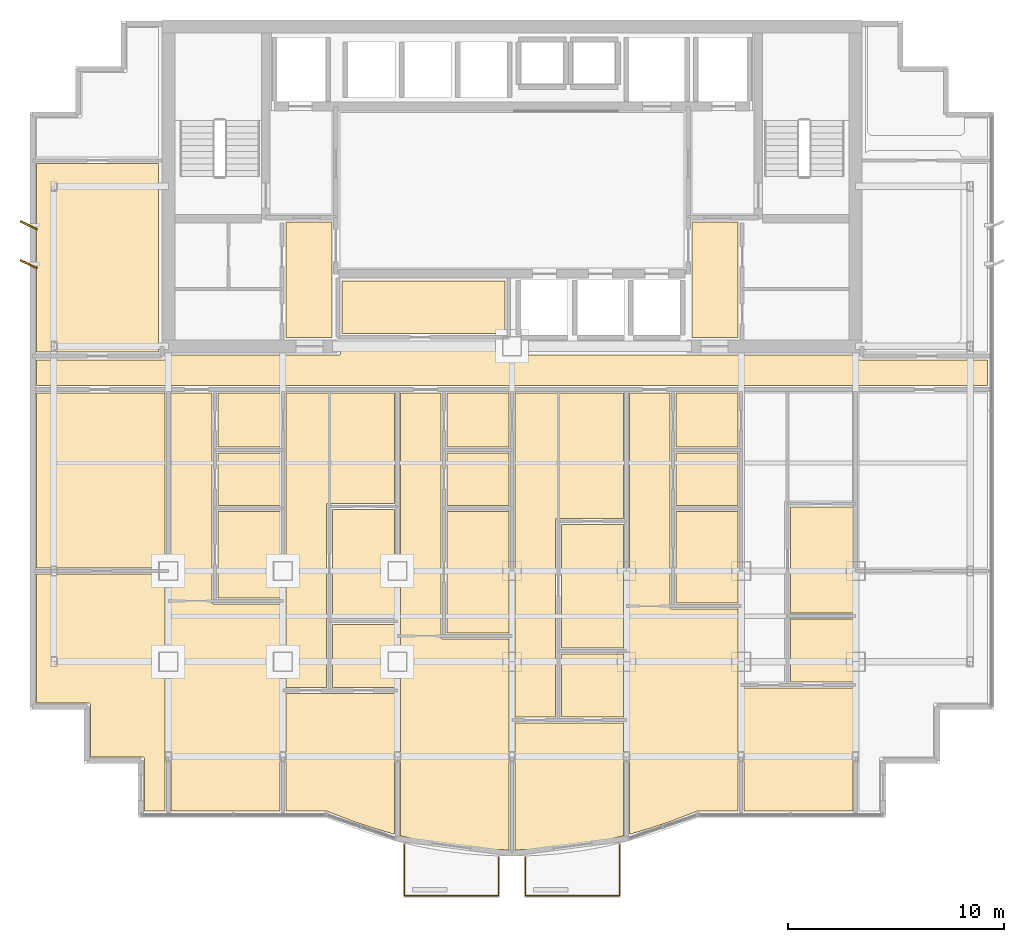
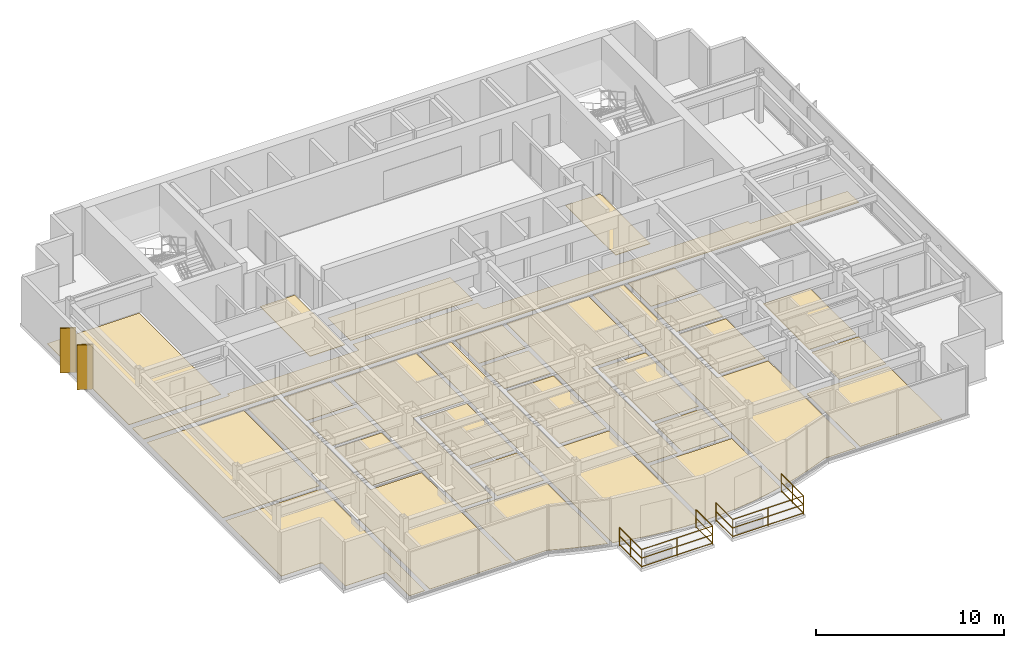
# One storey, part 12 of 13: 30 coverings, 2 railings, 2 shading devices.
"""IFC4 building model written with IfcOpenShell, lengths in metres."""

import ifcopenshell
import ifcopenshell.guid

model = None  # the IFC model being written
_history = None  # IfcOwnerHistory: only IFC2X3 demands one
_inside = {}  # id of a spatial element -> (the spatial element, [elements in it])
_under = {}  # id of a project, library or spatial element -> (it, [spatial elements below it])
_declared = {}  # id of a project -> (the project, [libraries it declares])
_typed = {}  # id of a type object -> (the type object, [elements of that type])
_made_of = {}  # id of a material, layer set ... -> (it, [elements and type objects made of it])


def new_model(schema):
    """Start an empty IFC model of exactly this schema.

    Asked for "IFC4X3", IfcOpenShell would pick the latest addendum, in which some entities
    have other attributes; the version numbers below select the first issue.
    IFC2X3 requires an IfcOwnerHistory on every rooted entity: one is made here for all.
    """
    global model, _history
    if schema == "IFC4X3":
        model = ifcopenshell.file(schema_version=(4, 3, 0, 0))
    else:
        model = ifcopenshell.file(schema=schema)
    _inside.clear()
    _under.clear()
    _declared.clear()
    _typed.clear()
    _made_of.clear()
    _history = None
    if model.schema == "IFC2X3":
        org = make("IfcOrganization", Name="unknown")
        user = make(
            "IfcPersonAndOrganization",
            ThePerson=make("IfcPerson", FamilyName="unknown"),
            TheOrganization=org,
        )
        app = make(
            "IfcApplication",
            ApplicationDeveloper=org,
            Version="unknown",
            ApplicationFullName="unknown",
            ApplicationIdentifier="unknown",
        )
        _history = make(
            "IfcOwnerHistory",
            OwningUser=user,
            OwningApplication=app,
            ChangeAction="ADDED",
            CreationDate=0,
        )
    return model


def make(cls, **values):
    """One entity of the class cls with the attributes given. An attribute that is None is left unset."""
    return model.create_entity(
        cls, **{name: value for name, value in values.items() if value is not None}
    )


def rooted(cls, **values):
    """An entity with a GlobalId (a new one), such as an element, a storey or a relation."""
    return make(cls, GlobalId=ifcopenshell.guid.new(), OwnerHistory=_history, **values)


def si_unit(unit_type, name, prefix=None):
    """IfcSIUnit, for example si_unit("LENGTHUNIT", "METRE", prefix="MILLI")."""
    return make("IfcSIUnit", UnitType=unit_type, Prefix=prefix, Name=name)


def assignment(units):
    """IfcUnitAssignment: the units of a project."""
    return None if units is None else make("IfcUnitAssignment", Units=units)


def point(xyz):
    """IfcCartesianPoint."""
    return None if xyz is None else make("IfcCartesianPoint", Coordinates=xyz)


def direction(xyz):
    """IfcDirection."""
    return None if xyz is None else make("IfcDirection", DirectionRatios=xyz)


def frame(location, z_axis=None, x_axis=None):
    """IfcAxis2Placement3D, a coordinate frame: its origin and axes. An axis left out is left unset."""
    return make(
        "IfcAxis2Placement3D",
        Location=point(location),
        Axis=direction(z_axis),
        RefDirection=direction(x_axis),
    )


def frame_2d(location, x_axis=None):
    """IfcAxis2Placement2D, a coordinate frame in the plane: its origin and x axis."""
    return make(
        "IfcAxis2Placement2D", Location=point(location), RefDirection=direction(x_axis)
    )


def origin():
    """The frame at (0, 0, 0) with its axes left unset."""
    return frame((0.0, 0.0, 0.0))


def origin_2d():
    """The frame at (0, 0) in the plane with its x axis left unset."""
    return frame_2d((0.0, 0.0))


def place(relative_to, where):
    """IfcLocalPlacement: puts the frame where relative to a parent placement (None: the world)."""
    return make(
        "IfcLocalPlacement", PlacementRelTo=relative_to, RelativePlacement=where
    )


def context(
    kind, dimensions, precision=None, world=None, true_north=None, identifier=None
):
    """IfcGeometricRepresentationContext, for example the 3D "Model" context."""
    return make(
        "IfcGeometricRepresentationContext",
        ContextIdentifier=identifier,
        ContextType=kind,
        CoordinateSpaceDimension=dimensions,
        Precision=precision,
        WorldCoordinateSystem=world,
        TrueNorth=true_north,
    )


def subcontext(parent, identifier, kind, view, scale=None):
    """IfcGeometricRepresentationSubContext, for example "Body" below "Model"."""
    return make(
        "IfcGeometricRepresentationSubContext",
        ContextIdentifier=identifier,
        ContextType=kind,
        ParentContext=parent,
        TargetScale=scale,
        TargetView=view,
    )


def project(units=None, contexts=None):
    """IfcProject with its units and contexts."""
    return rooted(
        "IfcProject",
        Name="project",
        RepresentationContexts=contexts,
        UnitsInContext=assignment(units),
    )


def spatial(cls, under=None, at=None, **own):
    """A site, building, storey or space (cls), placed at a placement, below another one or the project."""
    s = rooted(cls, ObjectPlacement=at, **own)
    if under is not None:
        _under.setdefault(under.id(), (under, []))[1].append(s)
    return s


def polyline(points):
    """IfcPolyline through the points."""
    return make("IfcPolyline", Points=[point(p) for p in points])


def profile(cls, at=None, kind="AREA", **sizes):
    """A parametric profile (cls). Its sizes go by their IFC names, for example OverallWidth=200.0."""
    return make(cls, ProfileType=kind, Position=at, **sizes)


def rectangle(**sizes):
    """IfcRectangleProfileDef."""
    return profile("IfcRectangleProfileDef", **sizes)


def circle(**sizes):
    """IfcCircleProfileDef."""
    return profile("IfcCircleProfileDef", **sizes)


def outline(outer, holes=None, kind="AREA"):
    """IfcArbitraryClosedProfileDef: a profile drawn as a closed curve; with holes, ...WithVoids."""
    if holes is None:
        return make("IfcArbitraryClosedProfileDef", ProfileType=kind, OuterCurve=outer)
    return make(
        "IfcArbitraryProfileDefWithVoids",
        ProfileType=kind,
        OuterCurve=outer,
        InnerCurves=holes,
    )


def extrude(swept, where, along, depth):
    """IfcExtrudedAreaSolid: the profile swept, set in the frame where, extruded along a direction by depth."""
    return make(
        "IfcExtrudedAreaSolid",
        SweptArea=swept,
        Position=where,
        ExtrudedDirection=direction(along),
        Depth=depth,
    )


def shape(context_of_items, identifier, shape_type, items):
    """IfcShapeRepresentation: the items that make up one representation, for example the "Body"."""
    return make(
        "IfcShapeRepresentation",
        ContextOfItems=context_of_items,
        RepresentationIdentifier=identifier,
        RepresentationType=shape_type,
        Items=items,
    )


def source(mapping_origin, context_of_items, identifier, shape_type, items):
    """IfcRepresentationMap: a shape defined once, which mapped items show again and again."""
    return make(
        "IfcRepresentationMap",
        MappingOrigin=mapping_origin,
        MappedRepresentation=shape(context_of_items, identifier, shape_type, items),
    )


def transform(
    local_origin,
    x_axis=None,
    y_axis=None,
    z_axis=None,
    scale=None,
    scale2=None,
    scale3=None,
    uniform=True,
):
    """IfcCartesianTransformationOperator3D, or its non-uniform kind. x_axis, y_axis, z_axis: its Axis1, 2, 3."""
    if uniform:
        return make(
            "IfcCartesianTransformationOperator3D",
            Axis1=direction(x_axis),
            Axis2=direction(y_axis),
            LocalOrigin=point(local_origin),
            Scale=scale,
            Axis3=direction(z_axis),
        )
    return make(
        "IfcCartesianTransformationOperator3DnonUniform",
        Axis1=direction(x_axis),
        Axis2=direction(y_axis),
        LocalOrigin=point(local_origin),
        Scale=scale,
        Axis3=direction(z_axis),
        Scale2=scale2,
        Scale3=scale3,
    )


def mapped(mapping_source, mapping_target):
    """IfcMappedItem: shows the shape of a source again, moved by a transform."""
    return make(
        "IfcMappedItem", MappingSource=mapping_source, MappingTarget=mapping_target
    )


def material(Name=None, Category=None):
    """IfcMaterial."""
    return make("IfcMaterial", Name=Name, Category=Category)


def layer(
    of_material, thickness, ventilated=None, Name=None, Category=None, Priority=None
):
    """IfcMaterialLayer: one layer of a wall or slab, of a material (None: an air gap)."""
    return make(
        "IfcMaterialLayer",
        Material=of_material,
        LayerThickness=thickness,
        IsVentilated=ventilated,
        Name=Name,
        Category=Category,
        Priority=Priority,
    )


def layer_set(layers, Name=None):
    """IfcMaterialLayerSet."""
    return make("IfcMaterialLayerSet", MaterialLayers=layers, LayerSetName=Name)


def made_of(thing, what):
    """Note that an element or type object is made of a material, layer set ...; save() writes the relation."""
    if what is not None:
        _made_of.setdefault(what.id(), (what, []))[1].append(thing)
    return thing


def type_object(cls, material=None, **own):
    """A type object (cls), such as IfcWallType, which elements share."""
    return made_of(rooted(cls, **own), material)


def element(
    cls,
    number,
    at=None,
    inside=None,
    cuts=None,
    type_object=None,
    material=None,
    context=None,
    identifier="Body",
    shape_type=None,
    held_by="IfcProductDefinitionShape",
    body=None,
    shapes=None,
    **own,
):
    """One element of the class cls, such as IfcWall. Its Tag is "e" and its number.

    at: its placement. inside: the storey or other place that contains it. cuts: it is an
    opening in that element (IfcRelVoidsElement). A single representation is given by context,
    identifier, shape_type and body (its items); several are given by shapes. held_by: the class
    of the entity that holds the representations. save() writes the other relations.
    """
    e = rooted(cls, Tag="e%d" % number, ObjectPlacement=at, **own)
    if body is not None:
        shapes = [shape(context, identifier, shape_type, body)]
    if shapes is not None:
        e.Representation = make(held_by, Representations=shapes)
    if inside is not None:
        _inside.setdefault(inside.id(), (inside, []))[1].append(e)
    if cuts is not None:
        rooted(
            "IfcRelVoidsElement", RelatingBuildingElement=cuts, RelatedOpeningElement=e
        )
    if type_object is not None:
        _typed.setdefault(type_object.id(), (type_object, []))[1].append(e)
    return made_of(e, material)


def aggregate(whole, parts):
    """IfcRelAggregates: a whole, such as a stair, and the parts it consists of."""
    return rooted("IfcRelAggregates", RelatingObject=whole, RelatedObjects=parts)


def save(model, path):
    """Write the relations noted so far, then the file.

    IfcRelAggregates (storeys below a building ...), IfcRelContainedInSpatialStructure (elements
    in a storey), IfcRelDefinesByType, IfcRelAssociatesMaterial and IfcRelDeclares: one each for
    every whole, place, type object, material and project.
    """
    for whole, parts in _under.values():
        aggregate(whole, parts)
    for where, things in _inside.values():
        rooted(
            "IfcRelContainedInSpatialStructure",
            RelatedElements=things,
            RelatingStructure=where,
        )
    for kind, things in _typed.values():
        rooted("IfcRelDefinesByType", RelatedObjects=things, RelatingType=kind)
    for what, things in _made_of.values():
        rooted("IfcRelAssociatesMaterial", RelatedObjects=things, RelatingMaterial=what)
    for by, libraries in _declared.values():
        rooted("IfcRelDeclares", RelatingContext=by, RelatedDefinitions=libraries)
    model.write(path)


model = new_model("IFC4")

# Units and contexts
model_context = context("Model", 3, precision=1e-05, world=origin(), true_north=direction((0.0, 1.0)))
body_context = subcontext(model_context, "Body", "Model", "MODEL_VIEW")
ifc_project = project(units=[si_unit("LENGTHUNIT", "METRE"), si_unit("AREAUNIT", "SQUARE_METRE"), si_unit("VOLUMEUNIT", "CUBIC_METRE"), si_unit("PLANEANGLEUNIT", "RADIAN"), si_unit("MASSUNIT", "GRAM", prefix="KILO")], contexts=[model_context])

# Site, building, storey
site_placement = place(None, origin())
site = spatial("IfcSite", under=ifc_project, at=site_placement, CompositionType="ELEMENT")
building_placement = place(site_placement, origin())
building = spatial("IfcBuilding", under=site, at=building_placement, Name="Qianlan Lanfeng Residences", CompositionType="ELEMENT")
storey_placement = place(building_placement, frame((0.0, 0.0, 162.300048828125)))
storey = spatial("IfcBuildingStorey", under=building, at=storey_placement, Name="L44", CompositionType="ELEMENT", Elevation=162.300048828125)

# Coverings
ifc_material_1 = material(Name="Honed Taitung Granite Stone Flooring", Category="masonry")
ifc_layer_1 = layer(ifc_material_1, 0.030029296875)
ifc_layer_set_1 = layer_set([ifc_layer_1], Name="Honed Taitung Granite Stone Flooring")
covering_type_1 = type_object("IfcCoveringType", Name="FLR-STN-30", PredefinedType="FLOORING", material=ifc_layer_set_1)
covering_1_placement = place(storey_placement, origin())
element("IfcCovering", 1, at=covering_1_placement, inside=storey, type_object=covering_type_1, Name="L44 Residential Corridor Floor Finish", PredefinedType="FLOORING", context=body_context, shape_type="SweptSolid", body=[
    extrude(outline(polyline([(4.489990234375, 23.3798828125), (48.510009765625, 23.3798828125), (48.510009765625, 24.570068359375), (42.590087890625, 24.570068359375), (42.5830078125, 24.570068359375), (42.575927734375, 24.571044921875), (42.570068359375, 24.572998046875), (42.56298828125, 24.574951171875), (42.556884765625, 24.577880859375), (42.551025390625, 24.58203125), (42.5458984375, 24.5859375), (42.541015625, 24.591064453125), (42.535888671875, 24.595947265625), (42.531982421875, 24.60107421875), (42.528076171875, 24.60693359375), (42.52490234375, 24.613037109375), (42.52294921875, 24.6201171875), (42.52099609375, 24.6259765625), (42.52001953125, 24.633056640625), (42.52001953125, 24.639892578125), (42.52001953125, 24.800048828125), (26.300048828125, 24.800048828125), (26.29296875, 24.800048828125), (26.285888671875, 24.801025390625), (26.280029296875, 24.802978515625), (26.27294921875, 24.804931640625), (26.26708984375, 24.80810546875), (26.260986328125, 24.81201171875), (26.256103515625, 24.81591796875), (26.2509765625, 24.821044921875), (26.24609375, 24.825927734375), (26.241943359375, 24.8310546875), (26.238037109375, 24.8369140625), (26.235107421875, 24.843017578125), (26.23291015625, 24.85009765625), (26.23095703125, 24.85595703125), (26.22998046875, 24.863037109375), (26.22998046875, 24.8701171875), (26.22998046875, 25.429931640625), (18.570068359375, 25.429931640625), (18.570068359375, 24.8701171875), (18.570068359375, 24.863037109375), (18.569091796875, 24.85595703125), (18.56689453125, 24.85009765625), (18.56494140625, 24.843017578125), (18.56201171875, 24.8369140625), (18.55810546875, 24.8310546875), (18.553955078125, 24.825927734375), (18.549072265625, 24.821044921875), (18.5439453125, 24.81591796875), (18.5390625, 24.81201171875), (18.532958984375, 24.80810546875), (18.527099609375, 24.804931640625), (18.52001953125, 24.802978515625), (18.513916015625, 24.801025390625), (18.507080078125, 24.800048828125), (18.5, 24.800048828125), (10.47998046875, 24.800048828125), (10.47998046875, 24.639892578125), (10.47998046875, 24.633056640625), (10.47900390625, 24.6259765625), (10.47705078125, 24.6201171875), (10.47509765625, 24.613037109375), (10.471923828125, 24.60693359375), (10.468017578125, 24.60107421875), (10.464111328125, 24.595947265625), (10.458984375, 24.591064453125), (10.4541015625, 24.5859375), (10.448974609375, 24.58203125), (10.443115234375, 24.577880859375), (10.43701171875, 24.574951171875), (10.429931640625, 24.572998046875), (10.424072265625, 24.571044921875), (10.4169921875, 24.570068359375), (10.409912109375, 24.570068359375), (4.489990234375, 24.570068359375), (4.489990234375, 23.3798828125)])), origin(), (0.0, 0.0, 1.0), 0.030029296875),
])
covering_2_placement = place(storey_placement, origin())
element("IfcCovering", 2, at=covering_2_placement, inside=storey, type_object=covering_type_1, Name="L44 Lift Lobby Floor Finish", PredefinedType="FLOORING", context=body_context, shape_type="SweptSolid", body=[
    extrude(outline(polyline([(16.030029296875, 25.610107421875), (18.169921875, 25.610107421875), (18.169921875, 30.949951171875), (16.030029296875, 30.949951171875), (16.030029296875, 25.610107421875)])), origin(), (0.0, 0.0, 1.0), 0.030029296875),
])
covering_3_placement = place(storey_placement, origin())
element("IfcCovering", 3, at=covering_3_placement, inside=storey, type_object=covering_type_1, Name="L44 Lift Lobby Floor Finish", PredefinedType="FLOORING", context=body_context, shape_type="SweptSolid", body=[
    extrude(outline(polyline([(34.830078125, 25.610107421875), (36.969970703125, 25.610107421875), (36.969970703125, 30.949951171875), (34.830078125, 30.949951171875), (34.830078125, 25.610107421875)])), origin(), (0.0, 0.0, 1.0), 0.030029296875),
])
ifc_material_2 = material(Name="Slip-Resistant Porcelain Tile Flooring")
ifc_layer_2 = layer(ifc_material_2, 0.02001953125)
ifc_layer_set_2 = layer_set([ifc_layer_2], Name="Slip-Resistant Porcelain Tile Flooring")
covering_type_2 = type_object("IfcCoveringType", Name="FLR-TIL-20", PredefinedType="FLOORING", material=ifc_layer_set_2)
covering_4_placement = place(storey_placement, origin())
element("IfcCovering", 4, at=covering_4_placement, inside=storey, type_object=covering_type_2, Name="L44 Kitchen Floor Finish", PredefinedType="FLOORING", context=body_context, shape_type="SweptSolid", body=[
    extrude(outline(polyline([(12.889892578125, 17.840087890625), (15.760009765625, 17.840087890625), (15.760009765625, 20.260009765625), (12.889892578125, 20.260009765625), (12.889892578125, 17.840087890625)])), origin(), (0.0, 0.0, 1.0), 0.02001953125),
])
covering_5_placement = place(storey_placement, origin())
element("IfcCovering", 5, at=covering_5_placement, inside=storey, type_object=covering_type_2, Name="L44 Bathroom Floor Finish", PredefinedType="FLOORING", context=body_context, shape_type="SweptSolid", body=[
    extrude(outline(polyline([(12.889892578125, 20.5400390625), (15.760009765625, 20.5400390625), (15.760009765625, 23.030029296875), (12.889892578125, 23.030029296875), (12.889892578125, 20.5400390625)])), origin(), (0.0, 0.0, 1.0), 0.02001953125),
])
covering_6_placement = place(storey_placement, origin())
element("IfcCovering", 6, at=covering_6_placement, inside=storey, type_object=covering_type_2, Name="L44 En-Suite Bathroom Floor Finish", PredefinedType="FLOORING", context=body_context, shape_type="SweptSolid", body=[
    extrude(outline(polyline([(18.18994140625, 9.4140625), (21.070068359375, 9.4140625), (21.070068359375, 12.333984375), (18.18994140625, 12.333984375), (18.18994140625, 9.4140625)])), origin(), (0.0, 0.0, 1.0), 0.02001953125),
])
covering_7_placement = place(storey_placement, origin())
element("IfcCovering", 7, at=covering_7_placement, inside=storey, type_object=covering_type_2, Name="L44 Kitchen Floor Finish", PredefinedType="FLOORING", context=body_context, shape_type="SweptSolid", body=[
    extrude(outline(polyline([(23.489990234375, 17.840087890625), (26.360107421875, 17.840087890625), (26.360107421875, 20.260009765625), (23.489990234375, 20.260009765625), (23.489990234375, 17.840087890625)])), origin(), (0.0, 0.0, 1.0), 0.02001953125),
])
covering_8_placement = place(storey_placement, origin())
element("IfcCovering", 8, at=covering_8_placement, inside=storey, type_object=covering_type_2, Name="L44 Bathroom Floor Finish", PredefinedType="FLOORING", context=body_context, shape_type="SweptSolid", body=[
    extrude(outline(polyline([(23.489990234375, 20.5400390625), (26.360107421875, 20.5400390625), (26.360107421875, 23.030029296875), (23.489990234375, 23.030029296875), (23.489990234375, 20.5400390625)])), origin(), (0.0, 0.0, 1.0), 0.02001953125),
])
covering_9_placement = place(storey_placement, origin())
element("IfcCovering", 9, at=covering_9_placement, inside=storey, type_object=covering_type_2, Name="L44 En-Suite Bathroom Floor Finish", PredefinedType="FLOORING", context=body_context, shape_type="SweptSolid", body=[
    extrude(outline(polyline([(28.7900390625, 8.0390625), (31.669921875, 8.0390625), (31.669921875, 10.958984375), (28.7900390625, 10.958984375), (28.7900390625, 8.0390625)])), origin(), (0.0, 0.0, 1.0), 0.02001953125),
])
covering_10_placement = place(storey_placement, origin())
element("IfcCovering", 10, at=covering_10_placement, inside=storey, type_object=covering_type_2, Name="L44 Kitchen Floor Finish", PredefinedType="FLOORING", context=body_context, shape_type="SweptSolid", body=[
    extrude(outline(polyline([(34.090087890625, 17.840087890625), (36.9599609375, 17.840087890625), (36.9599609375, 20.260009765625), (34.090087890625, 20.260009765625), (34.090087890625, 17.840087890625)])), origin(), (0.0, 0.0, 1.0), 0.02001953125),
])
covering_11_placement = place(storey_placement, origin())
element("IfcCovering", 11, at=covering_11_placement, inside=storey, type_object=covering_type_2, Name="L44 Bathroom Floor Finish", PredefinedType="FLOORING", context=body_context, shape_type="SweptSolid", body=[
    extrude(outline(polyline([(34.090087890625, 20.5400390625), (36.9599609375, 20.5400390625), (36.9599609375, 23.030029296875), (34.090087890625, 23.030029296875), (34.090087890625, 20.5400390625)])), origin(), (0.0, 0.0, 1.0), 0.02001953125),
])
covering_12_placement = place(storey_placement, origin())
element("IfcCovering", 12, at=covering_12_placement, inside=storey, type_object=covering_type_2, Name="L44 En-Suite Bathroom Floor Finish", PredefinedType="FLOORING", context=body_context, shape_type="SweptSolid", body=[
    extrude(outline(polyline([(39.389892578125, 9.659912109375), (42.27001953125, 9.659912109375), (42.27001953125, 12.580078125), (39.389892578125, 12.580078125), (39.389892578125, 9.659912109375)])), origin(), (0.0, 0.0, 1.0), 0.02001953125),
])
ifc_material_3 = material(Name="Engineered Smoked Oak Timber Flooring", Category="wood")
ifc_layer_3 = layer(ifc_material_3, 0.02197265625)
ifc_layer_set_3 = layer_set([ifc_layer_3], Name="Engineered Smoked Oak Timber Flooring")
covering_type_3 = type_object("IfcCoveringType", Name="FLR-TIM-22", PredefinedType="FLOORING", material=ifc_layer_set_3)
covering_13_placement = place(storey_placement, origin())
element("IfcCovering", 13, at=covering_13_placement, inside=storey, type_object=covering_type_3, Name="L44 Gallery Salon Floor Finish", PredefinedType="FLOORING", context=body_context, shape_type="SweptSolid", body=[
    extrude(outline(polyline([(18.6298828125, 25.800048828125), (26.169921875, 25.800048828125), (26.169921875, 28.22998046875), (18.6298828125, 28.22998046875), (18.6298828125, 25.800048828125)])), origin(), (0.0, 0.0, 1.0), 0.02197265625),
])
covering_14_placement = place(storey_placement, origin())
element("IfcCovering", 14, at=covering_14_placement, inside=storey, type_object=covering_type_3, Name="L44 Living and Dining Room Floor Finish", PredefinedType="FLOORING", context=body_context, shape_type="SweptSolid", body=[
    extrude(outline(polyline([(15.77001953125, 3.68994140625), (15.77001953125, 13.280029296875), (12.679931640625, 13.280029296875), (12.673095703125, 13.280029296875), (12.666015625, 13.281005859375), (12.659912109375, 13.282958984375), (12.653076171875, 13.284912109375), (12.64697265625, 13.2880859375), (12.64111328125, 13.2919921875), (12.635986328125, 13.2958984375), (12.631103515625, 13.301025390625), (12.6259765625, 13.305908203125), (12.6220703125, 13.31103515625), (12.617919921875, 13.31689453125), (12.614990234375, 13.322998046875), (12.613037109375, 13.330078125), (12.611083984375, 13.3359375), (12.610107421875, 13.343017578125), (12.610107421875, 13.35009765625), (12.610107421875, 23.030029296875), (10.72998046875, 23.030029296875), (10.72998046875, 3.68994140625), (15.77001953125, 3.68994140625)])), origin(), (0.0, 0.0, 1.0), 0.02197265625),
])
covering_15_placement = place(storey_placement, origin())
element("IfcCovering", 15, at=covering_15_placement, inside=storey, type_object=covering_type_3, Name="L44 Villa Family Sitting Room Floor Finish", PredefinedType="FLOORING", context=body_context, shape_type="SweptSolid", body=[
    extrude(outline(polyline([(12.889892578125, 17.56005859375), (12.889892578125, 13.56005859375), (15.77001953125, 13.56005859375), (15.77001953125, 17.56005859375), (12.889892578125, 17.56005859375)])), origin(), (0.0, 0.0, 1.0), 0.02197265625),
])
covering_16_placement = place(storey_placement, origin())
element("IfcCovering", 16, at=covering_16_placement, inside=storey, type_object=covering_type_3, Name="L44 Private Study Floor Finish", PredefinedType="FLOORING", context=body_context, shape_type="SweptSolid", body=[
    extrude(outline(polyline([(18.18994140625, 12.614013671875), (21.070068359375, 12.614013671875), (21.070068359375, 17.64697265625), (18.18994140625, 17.64697265625), (18.18994140625, 12.614013671875)])), origin(), (0.0, 0.0, 1.0), 0.02197265625),
])
covering_17_placement = place(storey_placement, origin())
element("IfcCovering", 17, at=covering_17_placement, inside=storey, type_object=covering_type_3, Name="L44 Villa Family Sitting Room Floor Finish", PredefinedType="FLOORING", context=body_context, shape_type="SweptSolid", body=[
    extrude(outline(polyline([(16.030029296875, 9.4140625), (17.909912109375, 9.4140625), (17.909912109375, 17.85693359375), (17.909912109375, 17.864013671875), (17.910888671875, 17.87109375), (17.9130859375, 17.876953125), (17.9150390625, 17.884033203125), (17.91796875, 17.889892578125), (17.922119140625, 17.89599609375), (17.926025390625, 17.90087890625), (17.930908203125, 17.906005859375), (17.93603515625, 17.910888671875), (17.94091796875, 17.9150390625), (17.947021484375, 17.9189453125), (17.952880859375, 17.922119140625), (17.9599609375, 17.924072265625), (17.966064453125, 17.926025390625), (17.972900390625, 17.927001953125), (17.97998046875, 17.927001953125), (21.070068359375, 17.927001953125), (21.070068359375, 23.030029296875), (16.030029296875, 23.030029296875), (16.030029296875, 9.4140625)])), origin(), (0.0, 0.0, 1.0), 0.02197265625),
])
covering_18_placement = place(storey_placement, origin())
element("IfcCovering", 18, at=covering_18_placement, inside=storey, type_object=covering_type_3, Name="L44 Master Bedroom Floor Finish", PredefinedType="FLOORING", context=body_context, shape_type="SweptSolid", body=[
    extrude(outline(polyline([(16.030029296875, 9.134033203125), (16.030029296875, 3.68994140625), (17.922119140625, 3.68994140625), (17.927978515625, 3.68994140625), (17.93505859375, 3.68896484375), (17.94091796875, 3.68701171875), (17.947021484375, 3.68505859375), (19.056884765625, 3.25), (20.1220703125, 2.888916015625), (21.070068359375, 2.616943359375), (21.070068359375, 9.134033203125), (16.030029296875, 9.134033203125)])), origin(), (0.0, 0.0, 1.0), 0.02197265625),
])
covering_19_placement = place(storey_placement, origin())
element("IfcCovering", 19, at=covering_19_placement, inside=storey, type_object=covering_type_3, Name="L44 Living and Dining Room Floor Finish", PredefinedType="FLOORING", context=body_context, shape_type="SweptSolid", body=[
    extrude(outline(polyline([(26.3701171875, 1.89306640625), (26.3701171875, 11.658935546875), (23.280029296875, 11.658935546875), (23.27294921875, 11.658935546875), (23.26611328125, 11.659912109375), (23.260009765625, 11.662109375), (23.2529296875, 11.6640625), (23.2470703125, 11.6669921875), (23.240966796875, 11.6708984375), (23.236083984375, 11.675048828125), (23.23095703125, 11.679931640625), (23.22607421875, 11.68505859375), (23.221923828125, 11.68994140625), (23.218017578125, 11.696044921875), (23.215087890625, 11.701904296875), (23.212890625, 11.708984375), (23.2109375, 11.715087890625), (23.2099609375, 11.721923828125), (23.2099609375, 11.72900390625), (23.2099609375, 23.030029296875), (21.330078125, 23.030029296875), (21.330078125, 2.550048828125), (22.2490234375, 2.333984375), (23.31201171875, 2.139892578125), (24.375, 2.001953125), (25.43701171875, 1.91796875), (26.3701171875, 1.89306640625)])), origin(), (0.0, 0.0, 1.0), 0.02197265625),
])
covering_20_placement = place(storey_placement, origin())
element("IfcCovering", 20, at=covering_20_placement, inside=storey, type_object=covering_type_3, Name="L44 Villa Family Sitting Room Floor Finish", PredefinedType="FLOORING", context=body_context, shape_type="SweptSolid", body=[
    extrude(outline(polyline([(23.489990234375, 17.56005859375), (23.489990234375, 11.93896484375), (26.3701171875, 11.93896484375), (26.3701171875, 17.56005859375), (23.489990234375, 17.56005859375)])), origin(), (0.0, 0.0, 1.0), 0.02197265625),
])
covering_21_placement = place(storey_placement, origin())
element("IfcCovering", 21, at=covering_21_placement, inside=storey, type_object=covering_type_3, Name="L44 Private Study Floor Finish", PredefinedType="FLOORING", context=body_context, shape_type="SweptSolid", body=[
    extrude(outline(polyline([(28.7900390625, 11.239013671875), (31.669921875, 11.239013671875), (31.669921875, 16.958984375), (28.7900390625, 16.958984375), (28.7900390625, 11.239013671875)])), origin(), (0.0, 0.0, 1.0), 0.02197265625),
])
covering_22_placement = place(storey_placement, origin())
element("IfcCovering", 22, at=covering_22_placement, inside=storey, type_object=covering_type_3, Name="L44 Villa Family Sitting Room Floor Finish", PredefinedType="FLOORING", context=body_context, shape_type="SweptSolid", body=[
    extrude(outline(polyline([(26.6298828125, 8.0390625), (28.510009765625, 8.0390625), (28.510009765625, 17.1689453125), (28.510009765625, 17.176025390625), (28.510986328125, 17.18310546875), (28.512939453125, 17.18896484375), (28.514892578125, 17.196044921875), (28.51806640625, 17.201904296875), (28.52197265625, 17.2080078125), (28.52587890625, 17.212890625), (28.531005859375, 17.218017578125), (28.535888671875, 17.222900390625), (28.541015625, 17.22705078125), (28.547119140625, 17.23095703125), (28.552978515625, 17.23388671875), (28.56005859375, 17.236083984375), (28.56591796875, 17.238037109375), (28.572998046875, 17.239013671875), (28.580078125, 17.239013671875), (31.669921875, 17.239013671875), (31.669921875, 23.030029296875), (26.6298828125, 23.030029296875), (26.6298828125, 8.0390625)])), origin(), (0.0, 0.0, 1.0), 0.02197265625),
])
covering_23_placement = place(storey_placement, origin())
element("IfcCovering", 23, at=covering_23_placement, inside=storey, type_object=covering_type_3, Name="L44 Master Bedroom Floor Finish", PredefinedType="FLOORING", context=body_context, shape_type="SweptSolid", body=[
    extrude(outline(polyline([(26.6298828125, 7.759033203125), (26.6298828125, 1.89306640625), (27.56298828125, 1.91796875), (28.625, 2.0009765625), (29.68701171875, 2.139892578125), (30.7509765625, 2.333984375), (31.669921875, 2.550048828125), (31.669921875, 7.759033203125), (26.6298828125, 7.759033203125)])), origin(), (0.0, 0.0, 1.0), 0.02197265625),
])
covering_24_placement = place(storey_placement, origin())
element("IfcCovering", 24, at=covering_24_placement, inside=storey, type_object=covering_type_3, Name="L44 Living and Dining Room Floor Finish", PredefinedType="FLOORING", context=body_context, shape_type="SweptSolid", body=[
    extrude(outline(polyline([(36.969970703125, 3.68994140625), (36.969970703125, 13.033935546875), (33.8798828125, 13.033935546875), (33.873046875, 13.033935546875), (33.865966796875, 13.034912109375), (33.860107421875, 13.037109375), (33.85302734375, 13.0390625), (33.846923828125, 13.0419921875), (33.841064453125, 13.0458984375), (33.8359375, 13.050048828125), (33.8310546875, 13.054931640625), (33.825927734375, 13.06005859375), (33.822021484375, 13.06494140625), (33.818115234375, 13.071044921875), (33.81494140625, 13.076904296875), (33.81298828125, 13.083984375), (33.81103515625, 13.090087890625), (33.81005859375, 13.096923828125), (33.81005859375, 13.10400390625), (33.81005859375, 23.030029296875), (31.929931640625, 23.030029296875), (31.929931640625, 2.616943359375), (32.8779296875, 2.888916015625), (33.94189453125, 3.25), (35.052978515625, 3.68505859375), (35.05908203125, 3.68701171875), (35.06494140625, 3.68896484375), (35.072021484375, 3.68994140625), (35.077880859375, 3.68994140625), (36.969970703125, 3.68994140625)])), origin(), (0.0, 0.0, 1.0), 0.02197265625),
])
covering_25_placement = place(storey_placement, origin())
element("IfcCovering", 25, at=covering_25_placement, inside=storey, type_object=covering_type_3, Name="L44 Villa Family Sitting Room Floor Finish", PredefinedType="FLOORING", context=body_context, shape_type="SweptSolid", body=[
    extrude(outline(polyline([(34.090087890625, 17.56005859375), (34.090087890625, 13.31396484375), (36.969970703125, 13.31396484375), (36.969970703125, 17.56005859375), (34.090087890625, 17.56005859375)])), origin(), (0.0, 0.0, 1.0), 0.02197265625),
])
covering_26_placement = place(storey_placement, origin())
element("IfcCovering", 26, at=covering_26_placement, inside=storey, type_object=covering_type_3, Name="L44 Private Study Floor Finish", PredefinedType="FLOORING", context=body_context, shape_type="SweptSolid", body=[
    extrude(outline(polyline([(39.389892578125, 12.860107421875), (42.27001953125, 12.860107421875), (42.27001953125, 17.77001953125), (39.389892578125, 17.77001953125), (39.389892578125, 12.860107421875)])), origin(), (0.0, 0.0, 1.0), 0.02197265625),
])
covering_27_placement = place(storey_placement, origin())
element("IfcCovering", 27, at=covering_27_placement, inside=storey, type_object=covering_type_3, Name="L44 Master Bedroom Floor Finish", PredefinedType="FLOORING", context=body_context, shape_type="SweptSolid", body=[
    extrude(outline(polyline([(37.22998046875, 9.3798828125), (37.22998046875, 3.68994140625), (42.27001953125, 3.68994140625), (42.27001953125, 9.3798828125), (37.22998046875, 9.3798828125)])), origin(), (0.0, 0.0, 1.0), 0.02197265625),
])
covering_28_placement = place(storey_placement, origin())
element("IfcCovering", 28, at=covering_28_placement, inside=storey, type_object=covering_type_3, Name="L44 Sunroom Floor Finish", PredefinedType="FLOORING", context=body_context, shape_type="SweptSolid", body=[
    extrude(outline(polyline([(10.43994140625, 14.64990234375), (4.489990234375, 14.64990234375), (4.489990234375, 8.68994140625), (6.919921875, 8.68994140625), (6.927001953125, 8.68994140625), (6.93408203125, 8.68896484375), (6.93994140625, 8.68701171875), (6.947021484375, 8.68505859375), (6.952880859375, 8.681884765625), (6.958984375, 8.677978515625), (6.964111328125, 8.674072265625), (6.968994140625, 8.6689453125), (6.97412109375, 8.6640625), (6.97802734375, 8.658935546875), (6.98193359375, 8.653076171875), (6.985107421875, 8.64697265625), (6.987060546875, 8.639892578125), (6.989013671875, 8.634033203125), (6.989990234375, 8.626953125), (6.989990234375, 8.6201171875), (6.989990234375, 6.18994140625), (9.419921875, 6.18994140625), (9.427001953125, 6.18994140625), (9.43408203125, 6.18896484375), (9.43994140625, 6.18701171875), (9.447021484375, 6.18505859375), (9.452880859375, 6.181884765625), (9.458984375, 6.177978515625), (9.464111328125, 6.174072265625), (9.468994140625, 6.1689453125), (9.47412109375, 6.1640625), (9.47802734375, 6.158935546875), (9.48193359375, 6.153076171875), (9.485107421875, 6.14697265625), (9.487060546875, 6.139892578125), (9.489013671875, 6.134033203125), (9.489990234375, 6.126953125), (9.489990234375, 6.1201171875), (9.489990234375, 3.68994140625), (10.43994140625, 3.68994140625), (10.43994140625, 14.64990234375)])), origin(), (0.0, 0.0, 1.0), 0.02197265625),
])
covering_29_placement = place(storey_placement, origin())
element("IfcCovering", 29, at=covering_29_placement, inside=storey, type_object=covering_type_3, Name="L44 Family Sitting Room Floor Finish", PredefinedType="FLOORING", context=body_context, shape_type="SweptSolid", body=[
    extrude(outline(polyline([(10.43994140625, 23.030029296875), (4.489990234375, 23.030029296875), (4.489990234375, 14.949951171875), (10.43994140625, 14.949951171875), (10.43994140625, 23.030029296875)])), origin(), (0.0, 0.0, 1.0), 0.02197265625),
])
covering_30_placement = place(storey_placement, origin())
element("IfcCovering", 30, at=covering_30_placement, inside=storey, type_object=covering_type_3, Name="L44 Gallery Salon Floor Finish", PredefinedType="FLOORING", context=body_context, shape_type="SweptSolid", body=[
    extrude(outline(polyline([(10.14990234375, 33.64990234375), (4.489990234375, 33.64990234375), (4.489990234375, 24.929931640625), (10.14990234375, 24.929931640625), (10.14990234375, 33.64990234375)])), origin(), (0.0, 0.0, 1.0), 0.02197265625),
])

# Railings
ifc_material_4 = material(Name="Anodised Bronze Aluminium and Laminated Glass Guard Balustrade", Category="aluminium")
railing_type = type_object("IfcRailingType", Name="GR-EXT-1220", PredefinedType="BALUSTRADE", material=ifc_material_4)
railing_1_placement = place(storey_placement, frame((25.8798828125, 1.5458984375, 0.0)))
element("IfcRailing", 31, at=railing_1_placement, inside=storey, type_object=railing_type, Name="L44 Terrace Safety Guard GR-L44-SB-W", PredefinedType="BALUSTRADE", context=body_context, shape_type="SweptSolid", body=[
    extrude(circle(Radius=0.02490234375, at=origin_2d()), frame((0.0, 0.0, 0.0849609375), z_axis=(0.0, -1.0, 0.0), x_axis=(1.0, 0.0, 0.0)), (0.0, 0.0, 1.0), 1.77587890625),
    extrude(circle(Radius=0.02490234375, at=origin_2d()), frame((0.0, 0.0, 0.63427734375), z_axis=(0.0, -1.0, 0.0), x_axis=(1.0, 0.0, 0.0)), (0.0, 0.0, 1.0), 1.77587890625),
    extrude(circle(Radius=0.02490234375, at=origin_2d()), frame((0.0, 0.0, 1.19482421875), z_axis=(0.0, -1.0, 0.0), x_axis=(1.0, 0.0, 0.0)), (0.0, 0.0, 1.0), 1.77587890625),
    extrude(circle(Radius=0.02490234375, at=origin_2d()), frame((0.0, -1.77587890625, 0.0849609375), z_axis=(-1.0, 0.0, 0.0), x_axis=(0.0, -1.0, 0.0)), (0.0, 0.0, 1.0), 4.35986328125),
    extrude(circle(Radius=0.02490234375, at=origin_2d()), frame((0.0, -1.77587890625, 0.63427734375), z_axis=(-1.0, 0.0, 0.0), x_axis=(0.0, -1.0, 0.0)), (0.0, 0.0, 1.0), 4.35986328125),
    extrude(circle(Radius=0.02490234375, at=origin_2d()), frame((0.0, -1.77587890625, 1.19482421875), z_axis=(-1.0, 0.0, 0.0), x_axis=(0.0, -1.0, 0.0)), (0.0, 0.0, 1.0), 4.35986328125),
    extrude(circle(Radius=0.02490234375, at=origin_2d()), frame((-4.35986328125, -1.77587890625, 0.0849609375), z_axis=(0.0, 1.0, 0.0), x_axis=(-1.0, 0.0, 0.0)), (0.0, 0.0, 1.0), 2.365966796875),
    extrude(circle(Radius=0.02490234375, at=origin_2d()), frame((-4.35986328125, -1.77587890625, 0.63427734375), z_axis=(0.0, 1.0, 0.0), x_axis=(-1.0, 0.0, 0.0)), (0.0, 0.0, 1.0), 2.365966796875),
    extrude(circle(Radius=0.02490234375, at=origin_2d()), frame((-4.35986328125, -1.77587890625, 1.19482421875), z_axis=(0.0, 1.0, 0.0), x_axis=(-1.0, 0.0, 0.0)), (0.0, 0.0, 1.0), 2.365966796875),
    extrude(circle(Radius=0.02099609375, at=origin_2d()), origin(), (0.0, 0.0, 1.0), 1.169921875),
    extrude(circle(Radius=0.02099609375, at=origin_2d()), frame((0.0, -1.77587890625, 0.0)), (0.0, 0.0, 1.0), 1.169921875),
    extrude(circle(Radius=0.02099609375, at=origin_2d()), frame((-2.179931640625, -1.77587890625, 0.0)), (0.0, 0.0, 1.0), 1.169921875),
    extrude(circle(Radius=0.02099609375, at=origin_2d()), frame((-4.35986328125, -1.77587890625, 0.0)), (0.0, 0.0, 1.0), 1.169921875),
    extrude(circle(Radius=0.02099609375, at=origin_2d()), frame((-4.35986328125, -0.5927734375, 0.0)), (0.0, 0.0, 1.0), 1.169921875),
    extrude(circle(Radius=0.02099609375, at=origin_2d()), frame((-4.35986328125, 0.590087890625, 0.0)), (0.0, 0.0, 1.0), 1.169921875),
])
railing_2_placement = place(storey_placement, frame((31.47998046875, 2.135986328125, 0.0)))
element("IfcRailing", 32, at=railing_2_placement, inside=storey, type_object=railing_type, Name="L44 Terrace Safety Guard GR-L44-SB-E", PredefinedType="BALUSTRADE", context=body_context, shape_type="SweptSolid", body=[
    extrude(circle(Radius=0.02490234375, at=origin_2d()), frame((0.0, 0.0, 0.0849609375), z_axis=(0.0, -1.0, 0.0), x_axis=(1.0, 0.0, 0.0)), (0.0, 0.0, 1.0), 2.365966796875),
    extrude(circle(Radius=0.02490234375, at=origin_2d()), frame((0.0, 0.0, 0.63427734375), z_axis=(0.0, -1.0, 0.0), x_axis=(1.0, 0.0, 0.0)), (0.0, 0.0, 1.0), 2.365966796875),
    extrude(circle(Radius=0.02490234375, at=origin_2d()), frame((0.0, 0.0, 1.19482421875), z_axis=(0.0, -1.0, 0.0), x_axis=(1.0, 0.0, 0.0)), (0.0, 0.0, 1.0), 2.365966796875),
    extrude(circle(Radius=0.02490234375, at=origin_2d()), frame((0.0, -2.365966796875, 0.0849609375), z_axis=(-1.0, 0.0, 0.0), x_axis=(0.0, -1.0, 0.0)), (0.0, 0.0, 1.0), 4.35986328125),
    extrude(circle(Radius=0.02490234375, at=origin_2d()), frame((0.0, -2.365966796875, 0.63427734375), z_axis=(-1.0, 0.0, 0.0), x_axis=(0.0, -1.0, 0.0)), (0.0, 0.0, 1.0), 4.35986328125),
    extrude(circle(Radius=0.02490234375, at=origin_2d()), frame((0.0, -2.365966796875, 1.19482421875), z_axis=(-1.0, 0.0, 0.0), x_axis=(0.0, -1.0, 0.0)), (0.0, 0.0, 1.0), 4.35986328125),
    extrude(circle(Radius=0.02490234375, at=origin_2d()), frame((-4.35986328125, -2.365966796875, 0.0849609375), z_axis=(0.0, 1.0, 0.0), x_axis=(-1.0, 0.0, 0.0)), (0.0, 0.0, 1.0), 1.77587890625),
    extrude(circle(Radius=0.02490234375, at=origin_2d()), frame((-4.35986328125, -2.365966796875, 0.63427734375), z_axis=(0.0, 1.0, 0.0), x_axis=(-1.0, 0.0, 0.0)), (0.0, 0.0, 1.0), 1.77587890625),
    extrude(circle(Radius=0.02490234375, at=origin_2d()), frame((-4.35986328125, -2.365966796875, 1.19482421875), z_axis=(0.0, 1.0, 0.0), x_axis=(-1.0, 0.0, 0.0)), (0.0, 0.0, 1.0), 1.77587890625),
    extrude(circle(Radius=0.02099609375, at=origin_2d()), origin(), (0.0, 0.0, 1.0), 1.169921875),
    extrude(circle(Radius=0.02099609375, at=origin_2d()), frame((0.0, -1.18310546875, 0.0)), (0.0, 0.0, 1.0), 1.169921875),
    extrude(circle(Radius=0.02099609375, at=origin_2d()), frame((0.0, -2.365966796875, 0.0)), (0.0, 0.0, 1.0), 1.169921875),
    extrude(circle(Radius=0.02099609375, at=origin_2d()), frame((-2.179931640625, -2.365966796875, 0.0)), (0.0, 0.0, 1.0), 1.169921875),
    extrude(circle(Radius=0.02099609375, at=origin_2d()), frame((-4.35986328125, -2.365966796875, 0.0)), (0.0, 0.0, 1.0), 1.169921875),
    extrude(circle(Radius=0.02099609375, at=origin_2d()), frame((-4.35986328125, -0.590087890625, 0.0)), (0.0, 0.0, 1.0), 1.169921875),
])

# Shading devices
ifc_material_5 = material(Name="Anodised Bronze Aluminium Solar Fin", Category="aluminium")
shading_device_type = type_object("IfcShadingDeviceType", Name="FIN-BRZ-850", PredefinedType="SHUTTER", material=ifc_material_5)
shared_shape = source(origin(), body_context, "Body", "SweptSolid", [
    extrude(rectangle(XDim=0.85009765625, YDim=0.080078125, at=origin_2d()), origin(), (0.0, 0.0, 1.0), 2.89990234375),
])
for number, where, z_axis, x_axis, name in (
    (33, (4.1298828125, 29.0, 0.0), (0.0, 0.0, 1.0), (0.898794046299, -0.438371146789, 0.0), "L44 Raked Bronze Solar Fin W1"),
    (34, (4.1298828125, 30.800048828125, 0.0), (0.0, 0.0, 1.0), (0.898794046299, -0.438371146789, 0.0), "L44 Raked Bronze Solar Fin W2"),
):
    element("IfcShadingDevice", number, at=place(storey_placement, frame(where, z_axis=z_axis, x_axis=x_axis)), inside=storey, type_object=shading_device_type, Name=name, PredefinedType="SHUTTER", context=body_context, shape_type="MappedRepresentation", body=[
        mapped(shared_shape, transform((0.0, 0.0, 0.0), scale=1.0)),
    ])

save(model, "model.ifc")
